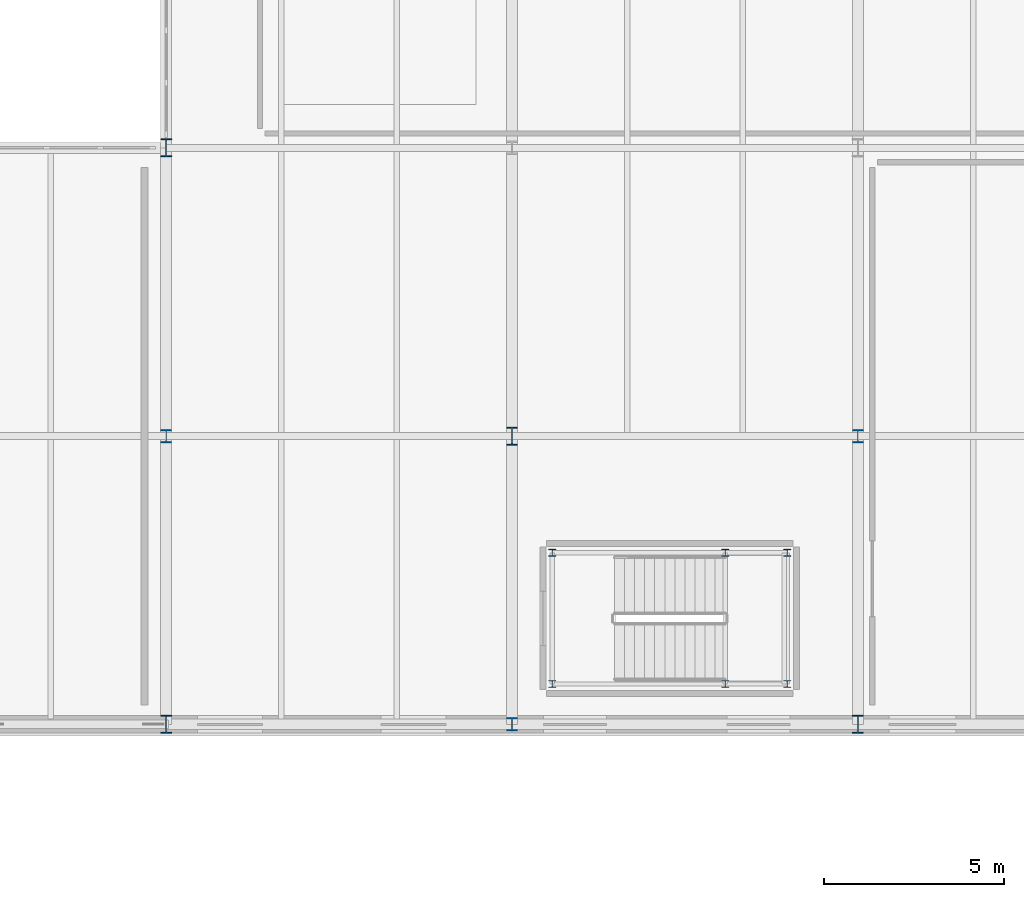
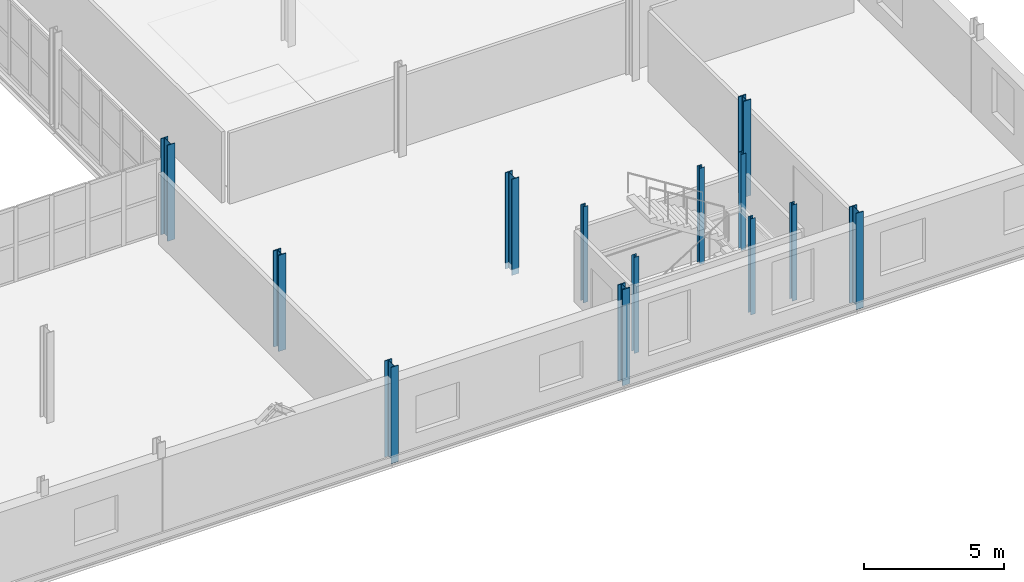
# One storey, part 23 of 78: 13 columns.
"""IFC4 building model written with IfcOpenShell, lengths in metres."""

from ifc_helpers import new_model, si_unit, direction, frame, origin, origin_2d, place, context, subcontext, project, spatial, i_section, extrude, material, material_profile, profile_set, type_object, element, save


model = new_model("IFC4")

# Units and contexts
model_context = context("Model", 3, precision=1e-05, world=origin(), true_north=direction((0.0, 1.0)))
body_context = subcontext(model_context, "Body", "Model", "MODEL_VIEW")
ifc_project = project(units=[si_unit("LENGTHUNIT", "METRE"), si_unit("AREAUNIT", "SQUARE_METRE"), si_unit("VOLUMEUNIT", "CUBIC_METRE"), si_unit("PLANEANGLEUNIT", "RADIAN"), si_unit("MASSUNIT", "GRAM", prefix="KILO")], contexts=[model_context])

# Site, building, storey
site_placement = place(None, origin())
site = spatial("IfcSite", under=ifc_project, at=site_placement, CompositionType="ELEMENT")
building_placement = place(site_placement, origin())
building = spatial("IfcBuilding", under=site, at=building_placement, Name="Alderhovde Museum", CompositionType="ELEMENT")
storey_placement = place(building_placement, frame((0.0, 0.0, 4.5)))
storey = spatial("IfcBuildingStorey", under=building, at=storey_placement, Name="L01", CompositionType="ELEMENT", Elevation=4.5)

# Columns
ifc_material_1 = material(Name="Steel S355J2", Category="steel")
ifc_material_profile_1 = material_profile(ifc_material_1, i_section(OverallWidth=0.199951171875, OverallDepth=0.18994140625, WebThickness=0.006591796875, FlangeThickness=0.010009765625, FilletRadius=0.01806640625, at=origin_2d()), Name="HEA 200")
ifc_profile_set_1 = profile_set([ifc_material_profile_1], Name="Steel S355J2")
column_type_1 = type_object("IfcColumnType", Name="COL-HEA200", PredefinedType="COLUMN", material=ifc_profile_set_1)
for number, where, z_axis, x_axis, name in (
    (1, (154.719970703125, 33.1201171875, 0.0), (0.0, 0.0, 1.0), (1.0, 0.0, 0.0), "L01 Stair ST7 Shaft Column 1"),
    (2, (161.239990234375, 33.1201171875, 0.0), (0.0, 0.0, 1.0), (1.0, 0.0, 0.0), "L01 Stair ST7 Shaft Column 2"),
    (3, (161.239990234375, 36.760009765625, 0.0), (0.0, 0.0, 1.0), (1.0, 0.0, 0.0), "L01 Stair ST7 Shaft Column 3"),
    (4, (154.719970703125, 36.760009765625, 0.0), (0.0, 0.0, 1.0), (1.0, 0.0, 0.0), "L01 Stair ST7 Shaft Column 4"),
    (5, (159.52001953125, 33.1201171875, 0.0), (0.0, 0.0, 1.0), (1.0, 0.0, 0.0), "L01 Stair ST7 Shaft Column 5"),
    (6, (159.52001953125, 36.760009765625, 0.0), (0.0, 0.0, 1.0), (1.0, 0.0, 0.0), "L01 Stair ST7 Shaft Column 6"),
):
    element("IfcColumn", number, at=place(storey_placement, frame(where, z_axis=z_axis, x_axis=x_axis)), inside=storey, type_object=column_type_1, Name=name, PredefinedType="COLUMN", context=body_context, shape_type="SweptSolid", body=[
        extrude(i_section(OverallWidth=0.199951171875, OverallDepth=0.18994140625, WebThickness=0.006591796875, FlangeThickness=0.010009765625, FilletRadius=0.01806640625, at=origin_2d()), origin(), (0.0, 0.0, 1.0), 4.199951171875),
    ])
ifc_material_2 = material(Name="Steel S355J2", Category="steel")
ifc_material_profile_2 = material_profile(ifc_material_2, i_section(OverallWidth=0.300048828125, OverallDepth=0.5, WebThickness=0.014404296875, FlangeThickness=0.028076171875, FilletRadius=0.027099609375, at=origin_2d()), Name="HEB 500")
ifc_profile_set_2 = profile_set([ifc_material_profile_2], Name="Steel S355J2")
column_type_2 = type_object("IfcColumnType", Name="COL-HEB500", PredefinedType="COLUMN", material=ifc_profile_set_2)
for number, where, z_axis, x_axis, name in (
    (7, (144.0, 32.0, -0.260009765625), (0.0, 0.0, 1.0), (1.0, 0.0, 0.0), "L01 Column (144.0, 32.0)"),
    (8, (144.0, 48.0, -0.260009765625), (0.0, 0.0, 1.0), (1.0, 0.0, 0.0), "L01 Column (144.0, 48.0)"),
    (9, (153.60009765625, 40.0, -0.260009765625), (0.0, 0.0, 1.0), (1.0, 0.0, 0.0), "L01 Column (153.6, 40.0)"),
    (10, (163.199951171875, 32.0, -0.260009765625), (0.0, 0.0, 1.0), (1.0, 0.0, 0.0), "L01 Column (163.2, 32.0)"),
):
    element("IfcColumn", number, at=place(storey_placement, frame(where, z_axis=z_axis, x_axis=x_axis)), inside=storey, type_object=column_type_2, Name=name, PredefinedType="COLUMN", context=body_context, shape_type="SweptSolid", body=[
        extrude(i_section(OverallWidth=0.300048828125, OverallDepth=0.5, WebThickness=0.014404296875, FlangeThickness=0.028076171875, FilletRadius=0.027099609375, at=origin_2d()), origin(), (0.0, 0.0, 1.0), 4.199951171875),
    ])
ifc_material_3 = material(Name="Steel S355J2", Category="steel")
ifc_material_profile_3 = material_profile(ifc_material_3, i_section(OverallWidth=0.30908203125, OverallDepth=0.376953125, WebThickness=0.02099609375, FlangeThickness=0.0400390625, FilletRadius=0.027099609375, at=origin_2d()), Name="HEM 340")
ifc_profile_set_3 = profile_set([ifc_material_profile_3], Name="Steel S355J2")
column_type_3 = type_object("IfcColumnType", Name="COL-HEM340", PredefinedType="COLUMN", material=ifc_profile_set_3)
for number, where, z_axis, x_axis, name in (
    (11, (144.0, 40.0, -0.260009765625), (0.0, 0.0, 1.0), (1.0, 0.0, 0.0), "L01 Column (144.0, 40.0)"),
    (12, (153.60009765625, 32.0, -0.260009765625), (0.0, 0.0, 1.0), (1.0, 0.0, 0.0), "L01 Column (153.6, 32.0)"),
    (13, (163.199951171875, 40.0, -0.260009765625), (0.0, 0.0, 1.0), (1.0, 0.0, 0.0), "L01 Column (163.2, 40.0)"),
):
    element("IfcColumn", number, at=place(storey_placement, frame(where, z_axis=z_axis, x_axis=x_axis)), inside=storey, type_object=column_type_3, Name=name, PredefinedType="COLUMN", context=body_context, shape_type="SweptSolid", body=[
        extrude(i_section(OverallWidth=0.30908203125, OverallDepth=0.376953125, WebThickness=0.02099609375, FlangeThickness=0.0400390625, FilletRadius=0.027099609375, at=origin_2d()), origin(), (0.0, 0.0, 1.0), 4.199951171875),
    ])

save(model, "model.ifc")
